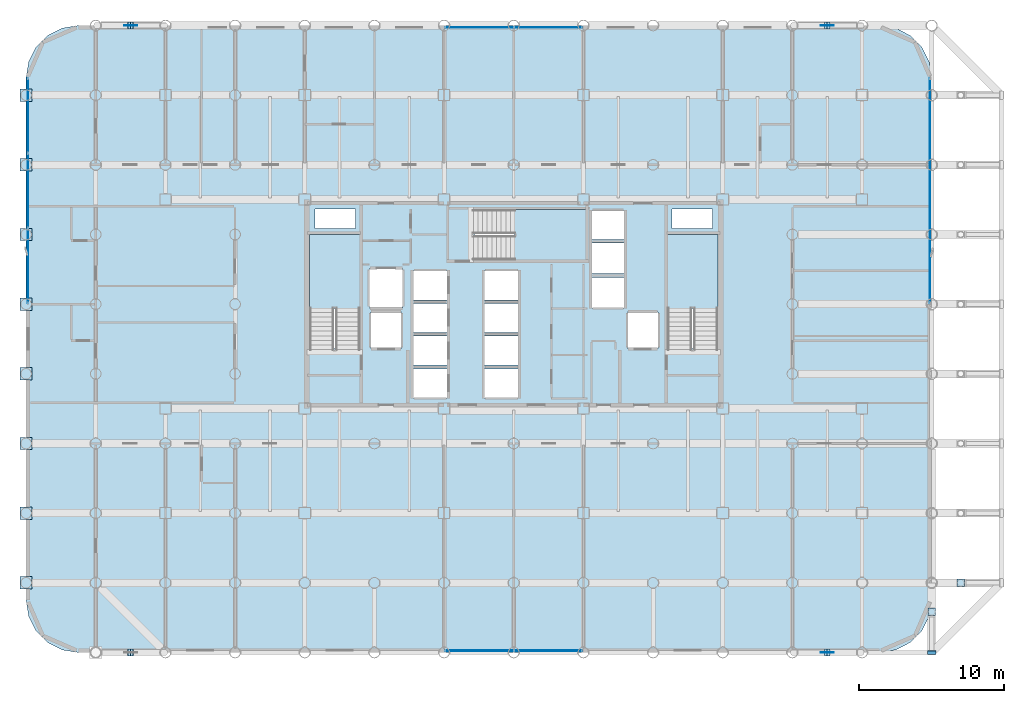
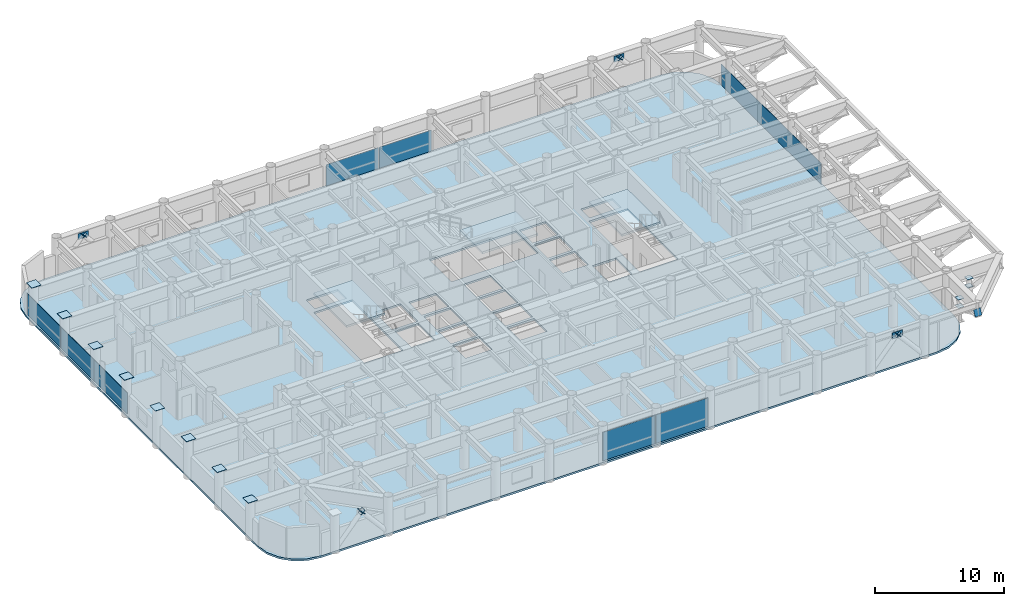
# One storey, part 19 of 26: 32 plates, 4 slabs, 7 elements without a shape of their own.
"""IFC4 building model written with IfcOpenShell, lengths in metres."""

from ifc_helpers import new_model, si_unit, direction, frame, origin, origin_2d, place, context, subcontext, project, spatial, polyline, rectangle, outline, extrude, material, layer, layer_set, type_object, element, aggregate, save


model = new_model("IFC4")

# Units and contexts
model_context = context("Model", 3, precision=1e-05, world=origin(), true_north=direction((0.0, 1.0)))
body_context = subcontext(model_context, "Body", "Model", "MODEL_VIEW")
ifc_project = project(units=[si_unit("LENGTHUNIT", "METRE"), si_unit("AREAUNIT", "SQUARE_METRE"), si_unit("VOLUMEUNIT", "CUBIC_METRE"), si_unit("PLANEANGLEUNIT", "RADIAN"), si_unit("MASSUNIT", "GRAM", prefix="KILO")], contexts=[model_context])

# Site, building, storey
site_placement = place(None, origin())
site = spatial("IfcSite", under=ifc_project, at=site_placement, CompositionType="ELEMENT")
building_placement = place(site_placement, origin())
building = spatial("IfcBuilding", under=site, at=building_placement, Name="Kallvorn Hotel Tower", CompositionType="ELEMENT")
storey_placement = place(building_placement, frame((0.0, 0.0, 55.89990234375)))
storey = spatial("IfcBuildingStorey", under=building, at=storey_placement, Name="L12", CompositionType="ELEMENT", Elevation=55.89990234375)

# Curtain wall, plates
ifc_material_1 = material(Name="Thermally broken black-anodised aluminium AA 6063-T6", Category="aluminium")
ifc_layer_1 = layer(ifc_material_1, 0.199951171875)
ifc_layer_set_1 = layer_set([ifc_layer_1], Name="CW_SYS_3_HOTEL_LOW")
curtain_wall_type = type_object("IfcCurtainWallType", Name="CW_SYS_3_HOTEL_LOW", PredefinedType="USERDEFINED", material=ifc_layer_set_1)
curtain_wall_1_placement = place(storey_placement, origin())
curtain_wall_1 = element("IfcCurtainWall", 1, at=curtain_wall_1_placement, inside=storey, type_object=curtain_wall_type, Name="L12 Dark-Glass Curtain Wall CW-L12-SC", ObjectType="UNITISED CURTAIN WALL", PredefinedType="USERDEFINED")
ifc_material_2 = material(Name="Double-glazed low-e solar-control dark glass", Category="glass")
ifc_layer_2 = layer(ifc_material_2, 0.035888671875)
ifc_layer_set_2 = layer_set([ifc_layer_2], Name="CW_SYS_3_HOTEL_LOW_PANEL")
plate_type_1 = type_object("IfcPlateType", Name="CW_SYS_3_HOTEL_LOW_PANEL", PredefinedType="CURTAIN_PANEL", material=ifc_layer_set_2)
plate_1_placement = place(storey_placement, frame((-2.375, -23.8798828125, 0.06005859375), z_axis=(0.0, 0.0, 1.0), x_axis=(1.0, 0.0, 0.0)))
plate_1 = element("IfcPlate", 2, at=plate_1_placement, type_object=plate_type_1, Name="CW-L12-SC Vision Glass Panel 00", PredefinedType="CURTAIN_PANEL", context=body_context, shape_type="SweptSolid", body=[
    extrude(rectangle(XDim=4.68994140625, YDim=0.035888671875, at=origin_2d()), origin(), (0.0, 0.0, 1.0), 2.699951171875),
])
plate_2_placement = place(storey_placement, frame((2.375, -23.8798828125, 0.06005859375), z_axis=(0.0, 0.0, 1.0), x_axis=(1.0, 0.0, 0.0)))
plate_2 = element("IfcPlate", 3, at=plate_2_placement, type_object=plate_type_1, Name="CW-L12-SC Vision Glass Panel 01", PredefinedType="CURTAIN_PANEL", context=body_context, shape_type="SweptSolid", body=[
    extrude(rectangle(XDim=4.68994140625, YDim=0.035888671875, at=origin_2d()), origin(), (0.0, 0.0, 1.0), 2.699951171875),
])
aggregate(curtain_wall_1, [plate_1, plate_2])

curtain_wall_2_placement = place(storey_placement, origin())
curtain_wall_2 = element("IfcCurtainWall", 4, at=curtain_wall_2_placement, inside=storey, type_object=curtain_wall_type, Name="L12 Dark-Glass Curtain Wall CW-L12-NC", ObjectType="UNITISED CURTAIN WALL", PredefinedType="USERDEFINED")
plate_3_placement = place(storey_placement, frame((-2.375, 19.080078125, 0.06005859375), z_axis=(0.0, 0.0, 1.0), x_axis=(1.0, 0.0, 0.0)))
plate_3 = element("IfcPlate", 5, at=plate_3_placement, type_object=plate_type_1, Name="CW-L12-NC Vision Glass Panel 00", PredefinedType="CURTAIN_PANEL", context=body_context, shape_type="SweptSolid", body=[
    extrude(rectangle(XDim=4.68994140625, YDim=0.035888671875, at=origin_2d()), origin(), (0.0, 0.0, 1.0), 2.0),
])
plate_4_placement = place(storey_placement, frame((2.375, 19.080078125, 0.06005859375), z_axis=(0.0, 0.0, 1.0), x_axis=(1.0, 0.0, 0.0)))
plate_4 = element("IfcPlate", 6, at=plate_4_placement, type_object=plate_type_1, Name="CW-L12-NC Vision Glass Panel 01", PredefinedType="CURTAIN_PANEL", context=body_context, shape_type="SweptSolid", body=[
    extrude(rectangle(XDim=4.68994140625, YDim=0.035888671875, at=origin_2d()), origin(), (0.0, 0.0, 1.0), 2.0),
])
aggregate(curtain_wall_2, [plate_3, plate_4])

curtain_wall_3_placement = place(storey_placement, origin())
curtain_wall_3 = element("IfcCurtainWall", 7, at=curtain_wall_3_placement, inside=storey, type_object=curtain_wall_type, Name="L12 Dark-Glass Curtain Wall CW-L12-WN", ObjectType="UNITISED CURTAIN WALL", PredefinedType="USERDEFINED")
plate_5_placement = place(storey_placement, frame((-33.47998046875, 2.61669921875, 0.06005859375), z_axis=(0.0, 0.0, 1.0), x_axis=(0.0, 1.0, 0.0)))
plate_5 = element("IfcPlate", 8, at=plate_5_placement, type_object=plate_type_1, Name="CW-L12-WN Vision Glass Panel 00", PredefinedType="CURTAIN_PANEL", context=body_context, shape_type="SweptSolid", body=[
    extrude(rectangle(XDim=5.13330078125, YDim=0.035888671875, at=origin_2d()), origin(), (0.0, 0.0, 1.0), 2.0),
])
plate_6_placement = place(storey_placement, frame((-33.47998046875, 7.81005859375, 0.06005859375), z_axis=(0.0, 0.0, 1.0), x_axis=(0.0, 1.0, 0.0)))
plate_6 = element("IfcPlate", 9, at=plate_6_placement, type_object=plate_type_1, Name="CW-L12-WN Vision Glass Panel 01", PredefinedType="CURTAIN_PANEL", context=body_context, shape_type="SweptSolid", body=[
    extrude(rectangle(XDim=5.13330078125, YDim=0.035888671875, at=origin_2d()), origin(), (0.0, 0.0, 1.0), 2.0),
])
plate_7_placement = place(storey_placement, frame((-33.47998046875, 13.00341796875, 0.06005859375), z_axis=(0.0, 0.0, 1.0), x_axis=(0.0, 1.0, 0.0)))
plate_7 = element("IfcPlate", 10, at=plate_7_placement, type_object=plate_type_1, Name="CW-L12-WN Vision Glass Panel 02", PredefinedType="CURTAIN_PANEL", context=body_context, shape_type="SweptSolid", body=[
    extrude(rectangle(XDim=5.13330078125, YDim=0.035888671875, at=origin_2d()), origin(), (0.0, 0.0, 1.0), 2.0),
])
aggregate(curtain_wall_3, [plate_5, plate_6, plate_7])

# Curtain wall, plate
curtain_wall_4_placement = place(storey_placement, origin())
curtain_wall_4 = element("IfcCurtainWall", 11, at=curtain_wall_4_placement, inside=storey, type_object=curtain_wall_type, Name="L12 Dark-Glass Curtain Wall CW-L12-EN", ObjectType="UNITISED CURTAIN WALL", PredefinedType="USERDEFINED")
plate_8_placement = place(storey_placement, frame((28.679931640625, 7.81005859375, 0.06005859375), z_axis=(0.0, 0.0, 1.0), x_axis=(0.0, 1.0, 0.0)))
plate_8 = element("IfcPlate", 12, at=plate_8_placement, type_object=plate_type_1, Name="CW-L12-EN Vision Glass Panel 00", PredefinedType="CURTAIN_PANEL", context=body_context, shape_type="SweptSolid", body=[
    extrude(rectangle(XDim=15.52001953125, YDim=0.035888671875, at=origin_2d()), origin(), (0.0, 0.0, 1.0), 2.0),
])
aggregate(curtain_wall_4, [plate_8])

# Plates
ifc_material_3 = material(Name="Structural steel S355JR", Category="steel")
ifc_layer_3 = layer(ifc_material_3, 0.030029296875)
ifc_layer_set_3 = layer_set([ifc_layer_3], Name="PLT_CAP_30")
plate_type_2 = type_object("IfcPlateType", Name="PLT_CAP_30", PredefinedType="SHEET", material=ifc_layer_set_3)
for number, where, z_axis, x_axis, name in (
    (13, (-33.60009765625, -19.199951171875, 3.7001953125), (0.0, 0.0, 1.0), (1.0, 0.0, 0.0), "L12 Hollow Column Top End Cap Plate 0137"),
    (14, (-33.60009765625, -14.39990234375, 3.7001953125), (0.0, 0.0, 1.0), (1.0, 0.0, 0.0), "L12 Hollow Column Top End Cap Plate 0138"),
    (15, (-33.60009765625, -9.60009765625, 3.7001953125), (0.0, 0.0, 1.0), (1.0, 0.0, 0.0), "L12 Hollow Column Top End Cap Plate 0139"),
    (16, (-33.60009765625, -4.800048828125, 3.7001953125), (0.0, 0.0, 1.0), (1.0, 0.0, 0.0), "L12 Hollow Column Top End Cap Plate 0140"),
    (17, (-33.60009765625, 0.0, 3.7001953125), (0.0, 0.0, 1.0), (1.0, 0.0, 0.0), "L12 Hollow Column Top End Cap Plate 0141"),
    (18, (-33.60009765625, 4.800048828125, 3.7001953125), (0.0, 0.0, 1.0), (1.0, 0.0, 0.0), "L12 Hollow Column Top End Cap Plate 0142"),
    (19, (-33.60009765625, 9.60009765625, 3.7001953125), (0.0, 0.0, 1.0), (1.0, 0.0, 0.0), "L12 Hollow Column Top End Cap Plate 0143"),
    (20, (-33.60009765625, 14.39990234375, 3.7001953125), (0.0, 0.0, 1.0), (1.0, 0.0, 0.0), "L12 Hollow Column Top End Cap Plate 0144"),
):
    element("IfcPlate", number, at=place(storey_placement, frame(where, z_axis=z_axis, x_axis=x_axis)), inside=storey, type_object=plate_type_2, Name=name, PredefinedType="SHEET", context=body_context, shape_type="SweptSolid", body=[
        extrude(rectangle(XDim=0.842041015625, YDim=0.842041015625, at=origin_2d()), origin(), (0.0, 0.0, 1.0), 0.030029296875),
    ])
for number, where, z_axis, x_axis, name in (
    (21, (28.800048828125, -21.199951171875, 1.3701171875), (0.0, 0.0, 1.0), (1.0, 0.0, 0.0), "L12 Prop Column End Cap Plate 01B"),
    (22, (28.800048828125, -21.199951171875, 2.14013671875), (0.0, 0.0, 1.0), (1.0, 0.0, 0.0), "L12 Prop Column End Cap Plate 01T"),
):
    element("IfcPlate", number, at=place(storey_placement, frame(where, z_axis=z_axis, x_axis=x_axis)), inside=storey, type_object=plate_type_2, Name=name, PredefinedType="SHEET", context=body_context, shape_type="SweptSolid", body=[
        extrude(rectangle(XDim=0.52001953125, YDim=0.52001953125, at=origin_2d()), origin(), (0.0, 0.0, 1.0), 0.030029296875),
    ])
plate_9_placement = place(storey_placement, frame((28.5, -24.1533203125, 2.21044921875), z_axis=(0.0, -0.907530107889, 0.419987027507), x_axis=(1.0, 0.0, 0.0)))
element("IfcPlate", 23, at=plate_9_placement, inside=storey, type_object=plate_type_2, Name="L12 Cantilever Strut Node Cap 01", PredefinedType="SHEET", context=body_context, shape_type="SweptSolid", body=[
    extrude(outline(polyline([(0.0, 0.0), (0.60009765625, 0.0), (0.60009765625, 0.5999069221144274), (0.0, 0.5999069221144274), (0.0, 0.0)])), origin(), (0.0, 0.0, -1.0), 0.030029296875),
])
for number, where, z_axis, x_axis, name in (
    (24, (30.800048828125, -19.199951171875, 1.3701171875), (0.0, 0.0, 1.0), (1.0, 0.0, 0.0), "L12 Prop Column End Cap Plate 02B"),
    (25, (30.800048828125, -19.199951171875, 2.14013671875), (0.0, 0.0, 1.0), (1.0, 0.0, 0.0), "L12 Prop Column End Cap Plate 02T"),
):
    element("IfcPlate", number, at=place(storey_placement, frame(where, z_axis=z_axis, x_axis=x_axis)), inside=storey, type_object=plate_type_2, Name=name, PredefinedType="SHEET", context=body_context, shape_type="SweptSolid", body=[
        extrude(rectangle(XDim=0.52001953125, YDim=0.52001953125, at=origin_2d()), origin(), (0.0, 0.0, 1.0), 0.030029296875),
    ])
for number, where, z_axis, x_axis, name in (
    (26, (-26.20947265625, -24.2431640625, 2.808837890625), (0.653515319717, 0.0, 0.756913288888), (0.0, 1.0, 0.0), "EXO-L12-S1A End Cap Plate B"),
    (27, (-26.590576171875, -23.7568359375, 2.808837890625), (-0.653515319717, 0.0, 0.756913288888), (0.0, -1.0, 0.0), "EXO-L12-S1B End Cap Plate B"),
    (28, (21.79052734375, -24.2431640625, 2.808837890625), (0.653515319717, 0.0, 0.756913288888), (0.0, 1.0, 0.0), "EXO-L12-S2A End Cap Plate B"),
    (29, (21.409423828125, -23.7568359375, 2.808837890625), (-0.653515319717, 0.0, 0.756913288888), (0.0, -1.0, 0.0), "EXO-L12-S2B End Cap Plate B"),
    (30, (-26.20947265625, 18.956787109375, 2.808837890625), (0.653515319717, 0.0, 0.756913288888), (0.0, 1.0, 0.0), "EXO-L12-N1A End Cap Plate B"),
    (31, (-26.590576171875, 19.443115234375, 2.808837890625), (-0.653515319717, 0.0, 0.756913288888), (0.0, -1.0, 0.0), "EXO-L12-N1B End Cap Plate B"),
    (32, (21.79052734375, 18.956787109375, 2.808837890625), (0.653515319717, 0.0, 0.756913288888), (0.0, 1.0, 0.0), "EXO-L12-N2A End Cap Plate B"),
    (33, (21.409423828125, 19.443115234375, 2.808837890625), (-0.653515319717, 0.0, 0.756913288888), (0.0, -1.0, 0.0), "EXO-L12-N2B End Cap Plate B"),
):
    element("IfcPlate", number, at=place(storey_placement, frame(where, z_axis=z_axis, x_axis=x_axis)), inside=storey, type_object=plate_type_2, Name=name, PredefinedType="SHEET", context=body_context, shape_type="SweptSolid", body=[
        extrude(outline(polyline([(0.0, 0.0), (0.486328125, 0.0), (0.486328125, 0.4864019008580509), (0.0, 0.4864019008580509), (0.0, 0.0)])), origin(), (0.0, 0.0, -1.0), 0.030029296875),
    ])
ifc_material_4 = material(Name="Structural steel S355JR", Category="steel")
ifc_layer_4 = layer(ifc_material_4, 0.044921875)
ifc_layer_set_4 = layer_set([ifc_layer_4], Name="PLT_GUSSET_45")
plate_type_3 = type_object("IfcPlateType", Name="PLT_GUSSET_45", PredefinedType="USERDEFINED", material=ifc_layer_set_4)
for number, where, z_axis, x_axis, name in (
    (34, (21.60009765625, -24.0, 2.64013671875), (0.0, 0.0, 1.0), (1.0, 0.0, 0.0), "L12 Exoskeleton Node Gusset S2"),
    (35, (-26.39990234375, 19.199951171875, 2.64013671875), (0.0, 0.0, 1.0), (1.0, 0.0, 0.0), "L12 Exoskeleton Node Gusset N1"),
    (36, (21.60009765625, 19.199951171875, 2.64013671875), (0.0, 0.0, 1.0), (1.0, 0.0, 0.0), "L12 Exoskeleton Node Gusset N2"),
):
    element("IfcPlate", number, at=place(storey_placement, frame(where, z_axis=z_axis, x_axis=x_axis)), inside=storey, type_object=plate_type_3, Name=name, ObjectType="GUSSET PLATE", PredefinedType="USERDEFINED", context=body_context, shape_type="SweptSolid", body=[
        extrude(rectangle(XDim=0.89990234375, YDim=0.044921875, at=origin_2d()), origin(), (0.0, 0.0, 1.0), 0.56005859375),
    ])

# Stair, slab
ifc_material_5 = material(Name="Precast concrete C40/50", Category="concrete")
stair_type = type_object("IfcStairType", Name="STR_CORE_DOGLEG", PredefinedType="HALF_TURN_STAIR", material=ifc_material_5)
stair_1_placement = place(storey_placement, origin())
stair_1 = element("IfcStair", 37, at=stair_1_placement, inside=storey, type_object=stair_type, Name="L12 Exit stair ST1", PredefinedType="HALF_TURN_STAIR")
ifc_material_6 = material(Name="Precast concrete C40/50", Category="concrete")
ifc_layer_5 = layer(ifc_material_6, 0.179931640625)
ifc_layer_set_5 = layer_set([ifc_layer_5], Name="SLB_LANDING_180")
slab_type_1 = type_object("IfcSlabType", Name="SLB_LANDING_180", PredefinedType="LANDING", material=ifc_layer_set_5)
slab_1_placement = place(storey_placement, frame((0.0, 0.0, 1.650146484375)))
slab_1 = element("IfcSlab", 38, at=slab_1_placement, type_object=slab_type_1, Name="ST1 landing 1", PredefinedType="LANDING", context=body_context, shape_type="SweptSolid", body=[
    extrude(outline(polyline([(-10.60009765625, -0.31005859375), (-10.60009765625, 4.800048828125), (-14.06005859375, 4.800048828125), (-14.06005859375, -0.31005859375), (-10.60009765625, -0.31005859375)])), origin(), (0.0, 0.0, 1.0), 0.199951171875),
])
aggregate(stair_1, [slab_1])

stair_2_placement = place(storey_placement, origin())
stair_2 = element("IfcStair", 39, at=stair_2_placement, inside=storey, type_object=stair_type, Name="L12 Exit stair ST2", PredefinedType="HALF_TURN_STAIR")
slab_2_placement = place(storey_placement, frame((0.0, 0.0, 1.650146484375)))
slab_2 = element("IfcSlab", 40, at=slab_2_placement, type_object=slab_type_1, Name="ST2 landing 1", PredefinedType="LANDING", context=body_context, shape_type="SweptSolid", body=[
    extrude(outline(polyline([(14.06005859375, -0.31005859375), (14.06005859375, 4.800048828125), (10.60009765625, 4.800048828125), (10.60009765625, -0.31005859375), (14.06005859375, -0.31005859375)])), origin(), (0.0, 0.0, 1.0), 0.199951171875),
])
aggregate(stair_2, [slab_2])

stair_3_placement = place(storey_placement, origin())
stair_3 = element("IfcStair", 41, at=stair_3_placement, inside=storey, type_object=stair_type, Name="L12 Exit stair ST3", PredefinedType="HALF_TURN_STAIR")
slab_3_placement = place(storey_placement, frame((0.0, 0.0, 1.650146484375)))
slab_3 = element("IfcSlab", 42, at=slab_3_placement, type_object=slab_type_1, Name="ST3 landing 1", PredefinedType="LANDING", context=body_context, shape_type="SweptSolid", body=[
    extrude(outline(polyline([(0.0400390625, 3.050048828125), (5.050048828125, 3.050048828125), (5.050048828125, 6.510009765625), (0.0400390625, 6.510009765625), (0.0400390625, 3.050048828125)])), origin(), (0.0, 0.0, 1.0), 0.199951171875),
])
aggregate(stair_3, [slab_3])

# Slab
ifc_material_7 = material(Name="Concrete C40/50", Category="concrete")
ifc_layer_6 = layer(ifc_material_7, 0.179931640625)
ifc_layer_set_6 = layer_set([ifc_layer_6], Name="SLB_TOWER_180")
slab_type_2 = type_object("IfcSlabType", Name="SLB_TOWER_180", PredefinedType="FLOOR", material=ifc_layer_set_6)
slab_4_placement = place(storey_placement, frame((0.0, 0.0, -0.179931640625)))
element("IfcSlab", 43, at=slab_4_placement, inside=storey, type_object=slab_type_2, Name="L12 Structural Floor Slab", PredefinedType="FLOOR", context=body_context, shape_type="SweptSolid", body=[
    extrude(outline(polyline([(25.199951171875, -24.0), (26.3125, -23.82373046875), (27.31591796875, -23.3125), (28.112548828125, -22.51611328125), (28.623779296875, -21.512451171875), (28.800048828125, -20.39990234375), (28.800048828125, 15.60009765625), (28.623779296875, 16.71240234375), (28.112548828125, 17.716064453125), (27.31591796875, 18.512451171875), (26.3125, 19.023681640625), (25.199951171875, 19.199951171875), (-30.0, 19.199951171875), (-31.112548828125, 19.023681640625), (-32.115966796875, 18.512451171875), (-32.91259765625, 17.716064453125), (-33.423828125, 16.71240234375), (-33.60009765625, 15.60009765625), (-33.60009765625, -20.39990234375), (-33.423828125, -21.512451171875), (-32.91259765625, -22.51611328125), (-32.115966796875, -23.3125), (-31.112548828125, -23.82373046875), (-30.0, -24.0), (25.199951171875, -24.0)]), holes=[polyline([(-10.60009765625, -3.070068359375), (-10.60009765625, 4.800048828125), (-14.06005859375, 4.800048828125), (-14.06005859375, -3.070068359375), (-10.60009765625, -3.070068359375)]), polyline([(14.06005859375, -3.070068359375), (14.06005859375, 4.800048828125), (10.60009765625, 4.800048828125), (10.60009765625, -3.070068359375), (14.06005859375, -3.070068359375)]), polyline([(-2.719970703125, 3.050048828125), (5.050048828125, 3.050048828125), (5.050048828125, 6.510009765625), (-2.719970703125, 6.510009765625), (-2.719970703125, 3.050048828125)]), polyline([(-6.949951171875, -6.449951171875), (-4.550048828125, -6.449951171875), (-4.550048828125, -4.449951171875), (-6.949951171875, -4.449951171875), (-6.949951171875, -6.449951171875)]), polyline([(-6.949951171875, -4.199951171875), (-4.550048828125, -4.199951171875), (-4.550048828125, -2.199951171875), (-6.949951171875, -2.199951171875), (-6.949951171875, -4.199951171875)]), polyline([(-6.949951171875, -1.949951171875), (-4.550048828125, -1.949951171875), (-4.550048828125, 0.050048828125), (-6.949951171875, 0.050048828125), (-6.949951171875, -1.949951171875)]), polyline([(-6.949951171875, 0.300048828125), (-4.550048828125, 0.300048828125), (-4.550048828125, 2.300048828125), (-6.949951171875, 2.300048828125), (-6.949951171875, 0.300048828125)]), polyline([(-2.050048828125, -6.449951171875), (0.35009765625, -6.449951171875), (0.35009765625, -4.449951171875), (-2.050048828125, -4.449951171875), (-2.050048828125, -6.449951171875)]), polyline([(-2.050048828125, -4.199951171875), (0.35009765625, -4.199951171875), (0.35009765625, -2.199951171875), (-2.050048828125, -2.199951171875), (-2.050048828125, -4.199951171875)]), polyline([(-2.050048828125, -1.949951171875), (0.35009765625, -1.949951171875), (0.35009765625, 0.050048828125), (-2.050048828125, 0.050048828125), (-2.050048828125, -1.949951171875)]), polyline([(-2.050048828125, 0.300048828125), (0.35009765625, 0.300048828125), (0.35009765625, 2.300048828125), (-2.050048828125, 2.300048828125), (-2.050048828125, 0.300048828125)]), polyline([(5.35009765625, -0.25), (7.64990234375, -0.25), (7.64990234375, 1.85009765625), (5.35009765625, 1.85009765625), (5.35009765625, -0.25)]), polyline([(5.35009765625, 2.10009765625), (7.64990234375, 2.10009765625), (7.64990234375, 4.199951171875), (5.35009765625, 4.199951171875), (5.35009765625, 2.10009765625)]), polyline([(5.35009765625, 4.449951171875), (7.64990234375, 4.449951171875), (7.64990234375, 6.449951171875), (5.35009765625, 6.449951171875), (5.35009765625, 4.449951171875)]), polyline([(-9.85009765625, -3.050048828125), (-7.75, -3.050048828125), (-7.75, -0.550048828125), (-9.85009765625, -0.550048828125), (-9.85009765625, -3.050048828125)]), polyline([(7.85009765625, -3.050048828125), (9.949951171875, -3.050048828125), (9.949951171875, -0.550048828125), (7.85009765625, -0.550048828125), (7.85009765625, -3.050048828125)]), polyline([(-9.949951171875, -0.25), (-7.64990234375, -0.25), (-7.64990234375, 2.449951171875), (-9.949951171875, 2.449951171875), (-9.949951171875, -0.25)]), polyline([(-13.699951171875, 5.199951171875), (-10.89990234375, 5.199951171875), (-10.89990234375, 6.550048828125), (-13.699951171875, 6.550048828125), (-13.699951171875, 5.199951171875)]), polyline([(10.89990234375, 5.199951171875), (13.699951171875, 5.199951171875), (13.699951171875, 6.550048828125), (10.89990234375, 6.550048828125), (10.89990234375, 5.199951171875)])]), origin(), (0.0, 0.0, 1.0), 0.179931640625),
])

save(model, "model.ifc")
